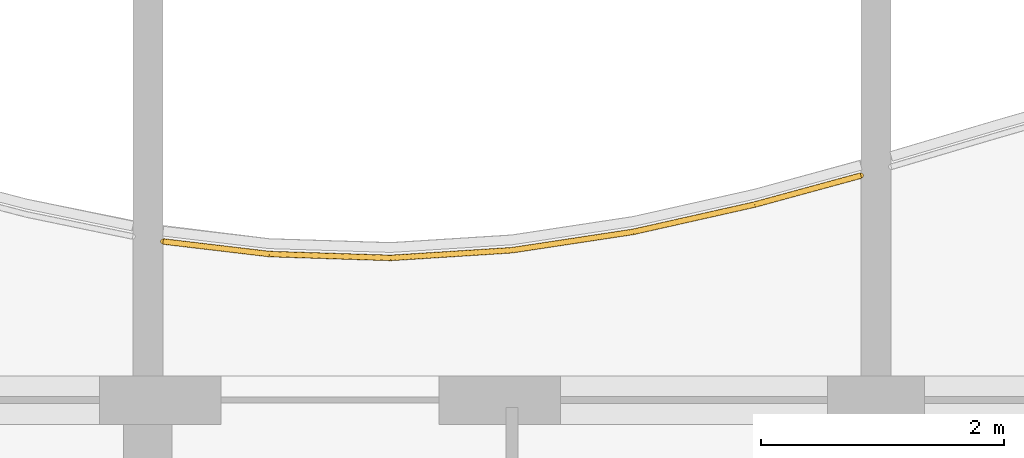
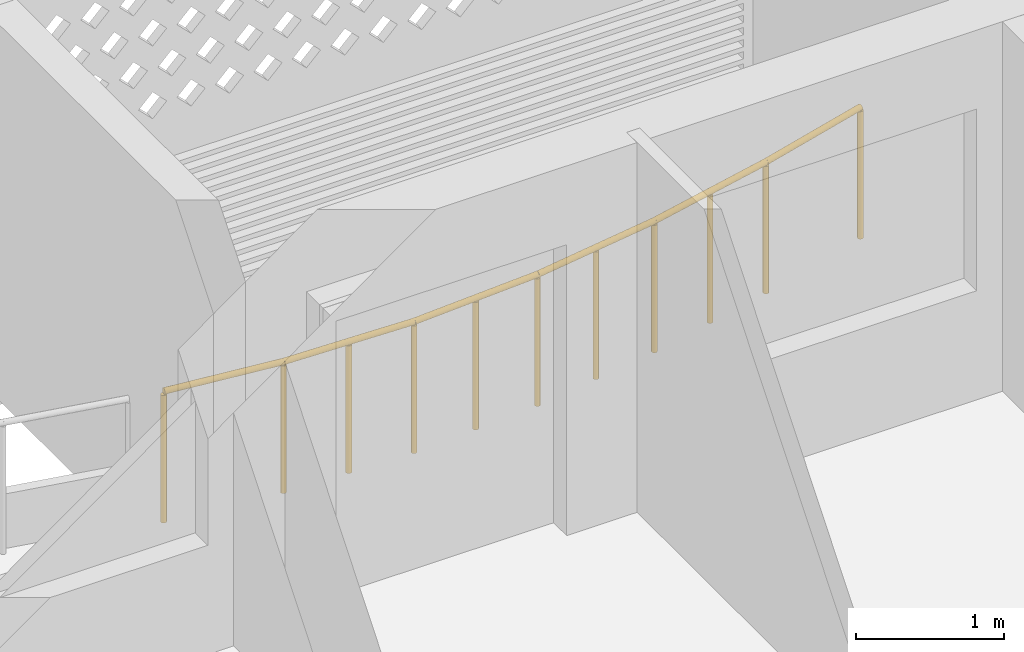
# One storey, part 32 of 44: 1 railing.
"""IFC4 building model written with IfcOpenShell, lengths in metres."""

from ifc_helpers import new_model, si_unit, direction, frame, origin, origin_2d, place, context, subcontext, project, spatial, circle, extrude, material, type_object, element, save


model = new_model("IFC4")

# Units and contexts
model_context = context("Model", 3, precision=1e-05, world=origin(), true_north=direction((0.0, 1.0)))
body_context = subcontext(model_context, "Body", "Model", "MODEL_VIEW")
ifc_project = project(units=[si_unit("LENGTHUNIT", "METRE"), si_unit("AREAUNIT", "SQUARE_METRE"), si_unit("VOLUMEUNIT", "CUBIC_METRE"), si_unit("PLANEANGLEUNIT", "RADIAN"), si_unit("MASSUNIT", "GRAM", prefix="KILO")], contexts=[model_context])

# Site, building, storey
site_placement = place(None, origin())
site = spatial("IfcSite", under=ifc_project, at=site_placement, CompositionType="ELEMENT")
building_placement = place(site_placement, origin())
building = spatial("IfcBuilding", under=site, at=building_placement, Name="Poui Terraces", CompositionType="ELEMENT")
storey_placement = place(building_placement, frame((0.0, 0.0, 26.699951171875)))
storey = spatial("IfcBuildingStorey", under=building, at=storey_placement, Name="L06", CompositionType="ELEMENT", Elevation=26.699951171875)

# Railing
ifc_material = material(Name="Painted steel fretwork", Category="steel")
railing_type = type_object("IfcRailingType", Name="BALCONY GUARD 1100", PredefinedType="GUARDRAIL", material=ifc_material)
railing_placement = place(storey_placement, frame((48.125, 46.106689453125, 0.0)))
element("IfcRailing", 1, at=railing_placement, inside=storey, type_object=railing_type, Name="BALCONY GUARD", PredefinedType="GUARDRAIL", context=body_context, shape_type="SweptSolid", body=[
    extrude(circle(Radius=0.02392578125, at=origin_2d()), frame((0.0, 0.0, 1.076171875), z_axis=(0.993074741363, -0.117484288599, 0.0), x_axis=(0.117484288599, 0.993074741363, 0.0)), (0.0, 0.0, 1.0), 0.881103515625),
    extrude(circle(Radius=0.02392578125, at=origin_2d()), frame((0.875, -0.103515625, 1.076171875), z_axis=(0.999488954364, -0.031966077398, 0.0), x_axis=(0.031966077398, 0.999488954364, 0.0)), (0.0, 0.0, 1.0), 1.00048828125),
    extrude(circle(Radius=0.02392578125, at=origin_2d()), frame((1.875, -0.135498046875, 1.076171875), z_axis=(0.997991430779, 0.06334906543, 0.0), x_axis=(-0.06334906543, 0.997991430779, 0.0)), (0.0, 0.0, 1.0), 1.001953125),
    extrude(circle(Radius=0.02392578125, at=origin_2d()), frame((2.875, -0.072021484375, 1.076171875), z_axis=(0.988701415616, 0.149898334741, 0.0), x_axis=(-0.149898334741, 0.988701415616, 0.0)), (0.0, 0.0, 1.0), 1.011474609375),
    extrude(circle(Radius=0.02392578125, at=origin_2d()), frame((3.875, 0.07958984375, 1.076171875), z_axis=(0.975640353268, 0.219376163418, 0.0), x_axis=(-0.219376163418, 0.975640353268, 0.0)), (0.0, 0.0, 1.0), 1.02490234375),
    extrude(circle(Radius=0.02392578125, at=origin_2d()), frame((4.875, 0.304443359375, 1.076171875), z_axis=(0.964794875477, 0.263003513767, 0.0), x_axis=(-0.263003513767, 0.964794875477, 0.0)), (0.0, 0.0, 1.0), 0.906982421875),
    extrude(circle(Radius=0.02099609375, at=origin_2d()), origin(), (0.0, 0.0, 1.0), 1.052001953125),
    extrude(circle(Radius=0.02099609375, at=origin_2d()), frame((0.875, -0.103515625, 0.0)), (0.0, 0.0, 1.0), 1.052001953125),
    extrude(circle(Radius=0.02099609375, at=origin_2d()), frame((1.375, -0.11962890625, 0.0)), (0.0, 0.0, 1.0), 1.052001953125),
    extrude(circle(Radius=0.02099609375, at=origin_2d()), frame((1.875, -0.135498046875, 0.0)), (0.0, 0.0, 1.0), 1.052001953125),
    extrude(circle(Radius=0.02099609375, at=origin_2d()), frame((2.375, -0.103759765625, 0.0)), (0.0, 0.0, 1.0), 1.052001953125),
    extrude(circle(Radius=0.02099609375, at=origin_2d()), frame((2.875, -0.072021484375, 0.0)), (0.0, 0.0, 1.0), 1.052001953125),
    extrude(circle(Radius=0.02099609375, at=origin_2d()), frame((3.375, 0.00390625, 0.0)), (0.0, 0.0, 1.0), 1.052001953125),
    extrude(circle(Radius=0.02099609375, at=origin_2d()), frame((3.875, 0.07958984375, 0.0)), (0.0, 0.0, 1.0), 1.052001953125),
    extrude(circle(Radius=0.02099609375, at=origin_2d()), frame((4.375, 0.19189453125, 0.0)), (0.0, 0.0, 1.0), 1.052001953125),
    extrude(circle(Radius=0.02099609375, at=origin_2d()), frame((4.875, 0.304443359375, 0.0)), (0.0, 0.0, 1.0), 1.052001953125),
    extrude(circle(Radius=0.02099609375, at=origin_2d()), frame((5.75, 0.54296875, 0.0)), (0.0, 0.0, 1.0), 1.052001953125),
])

save(model, "model.ifc")
